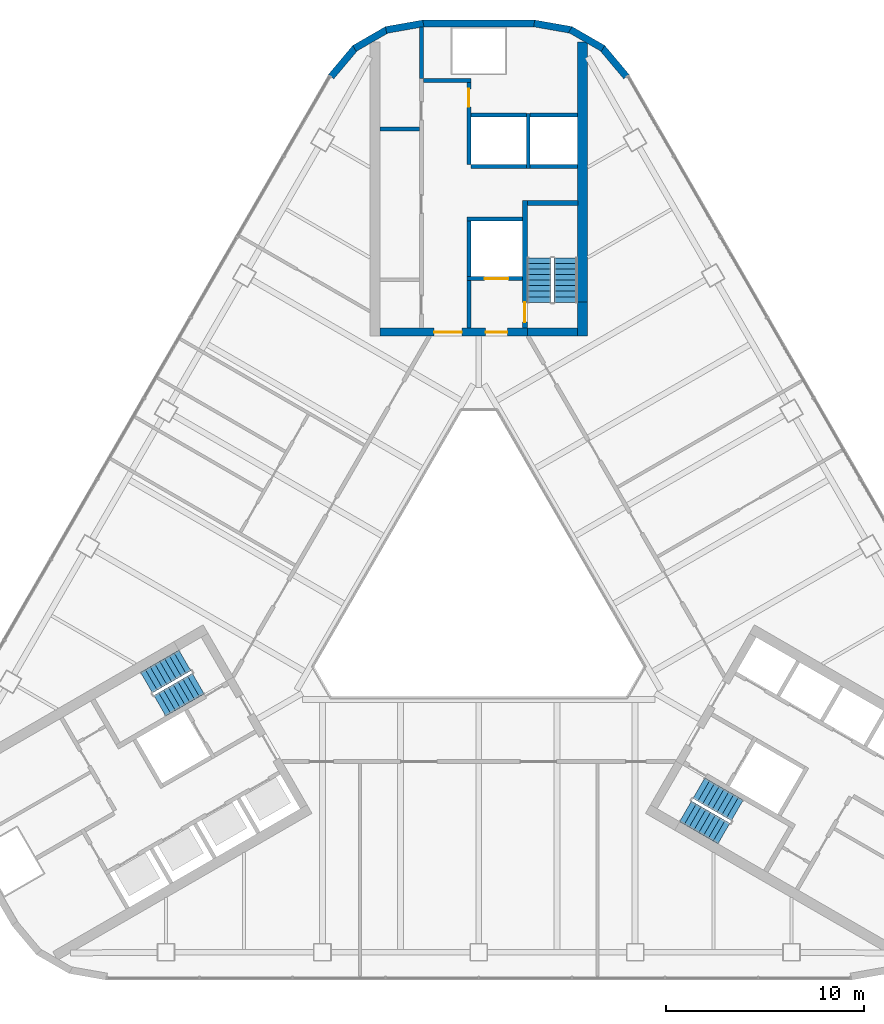
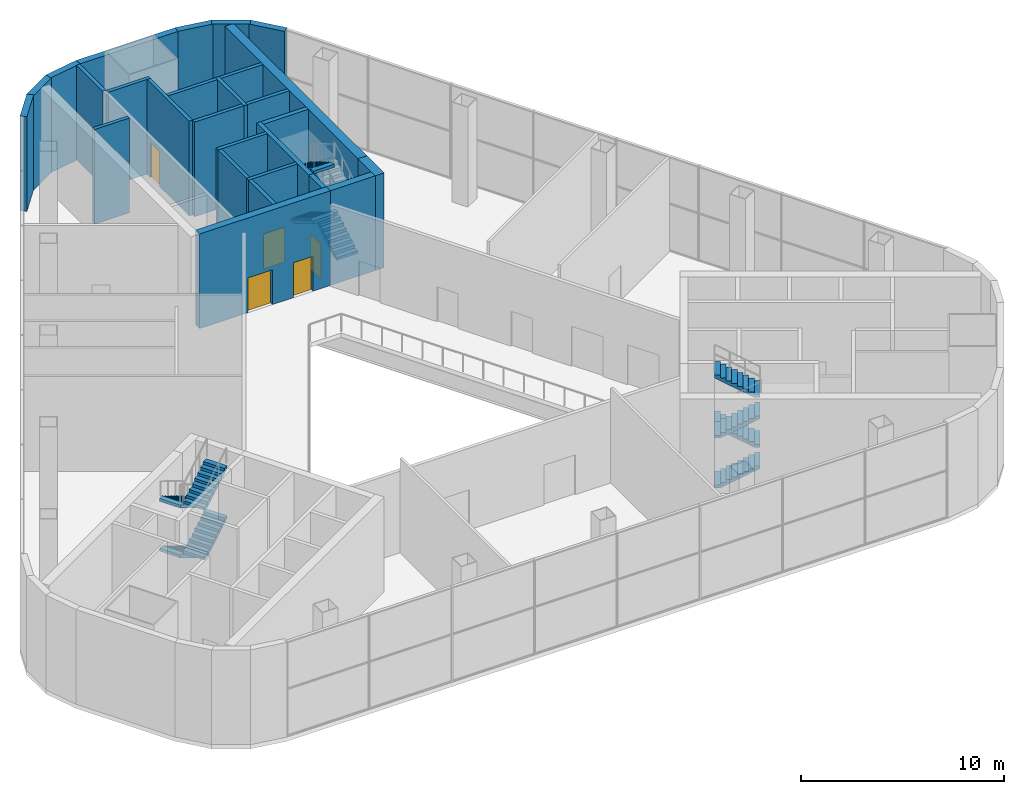
# One storey, part 10 of 14: 27 walls, 11 stair flights, 5 doors, 5 openings, 3 elements without a shape of their own.
"""IFC4 building model written with IfcOpenShell, lengths in metres."""

from ifc_helpers import new_model, si_unit, direction, frame, frame_2d, origin, place, context, subcontext, project, spatial, polyline, rectangle, outline, extrude, material, layer, layer_set, type_object, element, fill, aggregate, save


model = new_model("IFC4")

# Units and contexts
model_context = context("Model", 3, precision=1e-05, world=origin(), true_north=direction((0.0, 1.0)))
body_context = subcontext(model_context, "Body", "Model", "MODEL_VIEW")
ifc_project = project(units=[si_unit("LENGTHUNIT", "METRE"), si_unit("AREAUNIT", "SQUARE_METRE"), si_unit("VOLUMEUNIT", "CUBIC_METRE"), si_unit("PLANEANGLEUNIT", "RADIAN"), si_unit("MASSUNIT", "GRAM", prefix="KILO")], contexts=[model_context])

# Site, building, storey
site_placement = place(None, origin())
site = spatial("IfcSite", under=ifc_project, at=site_placement, CompositionType="ELEMENT")
building_placement = place(site_placement, origin())
building = spatial("IfcBuilding", under=site, at=building_placement, Name="Apuvela Tower Hotel", CompositionType="ELEMENT")
storey_placement = place(building_placement, frame((0.0, 0.0, 131.60009765625)))
storey = spatial("IfcBuildingStorey", under=building, at=storey_placement, Name="L31", CompositionType="ELEMENT", Elevation=131.60009765625)

# Wall
ifc_material_1 = material(Name="Concrete C50/60", Category="concrete")
ifc_layer_1 = layer(ifc_material_1, 0.39990234375)
ifc_layer_set_1 = layer_set([ifc_layer_1], Name="COR-WALL-CORE-400")
wall_type_1 = type_object("IfcWallType", Name="COR-WALL-CORE-400", PredefinedType="SHEAR", material=ifc_layer_set_1)
wall_1_placement = place(storey_placement, frame((5.0, 13.10009765625, 0.0), z_axis=(0.0, 0.0, 1.0), x_axis=(-1.0, 0.0, 0.0)))
element("IfcWall", 1, at=wall_1_placement, inside=storey, type_object=wall_type_1, Name="Core wall N", PredefinedType="SHEAR", context=body_context, shape_type="SweptSolid", body=[
    extrude(rectangle(XDim=2.550048828125, YDim=0.39990234375, at=frame_2d((1.27490234375, 0.0))), origin(), (0.0, 0.0, 1.0), 5.699951171875),
])

# Wall, openings, doors
wall_2_placement = place(storey_placement, frame((2.449951171875, 13.10009765625, 0.0), z_axis=(0.0, 0.0, 1.0), x_axis=(-1.0, 0.0, 0.0)))
wall_2 = element("IfcWall", 2, at=wall_2_placement, inside=storey, type_object=wall_type_1, Name="Core wall N", PredefinedType="SHEAR", context=body_context, shape_type="SweptSolid", body=[
    extrude(rectangle(XDim=7.449951171875, YDim=0.39990234375, at=frame_2d((3.72509765625, 0.0))), origin(), (0.0, 0.0, 1.0), 5.699951171875),
])
opening_1_placement = place(wall_2_placement, frame((1.0, 0.0, 0.0)))
opening_1 = element("IfcOpeningElement", 3, at=opening_1_placement, cuts=wall_2, Name="Opening N-FD", PredefinedType="OPENING", context=body_context, shape_type="SweptSolid", body=[
    extrude(rectangle(XDim=1.10009765625, YDim=2.10009765625, at=frame_2d((0.550048828125, 1.050048828125))), frame((0.0, 0.2099609375, 0.0), z_axis=(0.0, -1.0, 0.0), x_axis=(1.0, 0.0, 0.0)), (0.0, 0.0, 1.0), 0.419921875),
])
opening_2_placement = place(wall_2_placement, frame((3.300048828125, 0.0, 0.0)))
opening_2 = element("IfcOpeningElement", 4, at=opening_2_placement, cuts=wall_2, Name="Opening N-GD", PredefinedType="OPENING", context=body_context, shape_type="SweptSolid", body=[
    extrude(rectangle(XDim=1.39990234375, YDim=2.10009765625, at=frame_2d((0.699951171875, 1.050048828125))), frame((0.0, 0.2099609375, 0.0), z_axis=(0.0, -1.0, 0.0), x_axis=(1.0, 0.0, 0.0)), (0.0, 0.0, 1.0), 0.419921875),
])
ifc_material_2 = material(Name="Steel fire door, powder coated", Category="steel")
door_type_1 = type_object("IfcDoorType", Name="COR-FD-1100", OperationType="NOTDEFINED", PredefinedType="DOOR", material=ifc_material_2)
door_1_placement = place(opening_1_placement, frame((1.10009765625, 0.0, 0.0), z_axis=(0.0, 0.0, 1.0), x_axis=(-1.0, 0.0, 0.0)))
door_1 = element("IfcDoor", 5, at=door_1_placement, inside=storey, type_object=door_type_1, Name="Firefighting lobby door N-FD", OperationType="SINGLE_SWING_LEFT", OverallHeight=2.10009765625, OverallWidth=1.10009765625, PredefinedType="DOOR", context=body_context, shape_type="SweptSolid", body=[
    extrude(rectangle(XDim=1.10009765625, YDim=2.10009765625, at=frame_2d((0.550048828125, 1.050048828125))), frame((0.0, 0.02490234375, 0.0), z_axis=(0.0, -1.0, 0.0), x_axis=(1.0, 0.0, 0.0)), (0.0, 0.0, 1.0), 0.050048828125),
])
fill(opening_1, door_1)
ifc_material_3 = material(Name="Glazed steel fire door", Category="steel")
door_type_2 = type_object("IfcDoorType", Name="COR-GD-1400", OperationType="DOUBLE_DOOR_SINGLE_SWING", PredefinedType="DOOR", material=ifc_material_3)
door_2_placement = place(opening_2_placement, frame((1.39990234375, 0.0, 0.0), z_axis=(0.0, 0.0, 1.0), x_axis=(-1.0, 0.0, 0.0)))
door_2 = element("IfcDoor", 6, at=door_2_placement, inside=storey, type_object=door_type_2, Name="Lift lobby door N-GD", OperationType="DOUBLE_DOOR_SINGLE_SWING", OverallHeight=2.10009765625, OverallWidth=1.39990234375, PredefinedType="DOOR", context=body_context, shape_type="SweptSolid", body=[
    extrude(rectangle(XDim=1.39990234375, YDim=2.10009765625, at=frame_2d((0.699951171875, 1.050048828125))), frame((0.0, 0.02490234375, 0.0), z_axis=(0.0, -1.0, 0.0), x_axis=(1.0, 0.0, 0.0)), (0.0, 0.0, 1.0), 0.050048828125),
])
fill(opening_2, door_2)

# Walls
ifc_layer_2 = layer(ifc_material_1, 0.5)
ifc_layer_set_2 = layer_set([ifc_layer_2], Name="COR-WALL-CORE-500")
wall_type_2 = type_object("IfcWallType", Name="COR-WALL-CORE-500", PredefinedType="SHEAR", material=ifc_layer_set_2)
wall_3_placement = place(storey_placement, frame((5.25, 12.89990234375, 0.0), z_axis=(0.0, 0.0, 1.0), x_axis=(0.0, 1.0, 0.0)))
element("IfcWall", 7, at=wall_3_placement, inside=storey, type_object=wall_type_2, Name="Core wall N", PredefinedType="SHEAR", context=body_context, shape_type="SweptSolid", body=[
    extrude(rectangle(XDim=1.7060546875, YDim=0.5, at=frame_2d((0.85302734375, 0.0))), origin(), (0.0, 0.0, 1.0), 5.699951171875),
])
wall_4_placement = place(storey_placement, frame((5.25, 14.60595703125, 0.0), z_axis=(0.0, 0.0, 1.0), x_axis=(0.0, 1.0, 0.0)))
element("IfcWall", 8, at=wall_4_placement, inside=storey, type_object=wall_type_2, Name="Core wall N", PredefinedType="SHEAR", context=body_context, shape_type="SweptSolid", body=[
    extrude(rectangle(XDim=13.130859375, YDim=0.5, at=frame_2d((6.5654296875, 0.0))), origin(), (0.0, 0.0, 1.0), 5.699951171875),
])
ifc_material_4 = material(Name="Blockwork 200 mm plastered", Category="masonry")
ifc_layer_3 = layer(ifc_material_4, 0.199951171875)
ifc_layer_set_3 = layer_set([ifc_layer_3], Name="COR-WALL-PART-200")
wall_type_3 = type_object("IfcWallType", Name="COR-WALL-PART-200", PredefinedType="PARTITIONING", material=ifc_layer_set_3)
wall_5_placement = place(storey_placement, frame((5.0, 21.449951171875, 0.0), z_axis=(0.0, 0.0, 1.0), x_axis=(-1.0, 0.0, 0.0)))
element("IfcWall", 9, at=wall_5_placement, inside=storey, type_object=wall_type_3, Name="Partition N", PredefinedType="PARTITIONING", context=body_context, shape_type="SweptSolid", body=[
    extrude(rectangle(XDim=2.39990234375, YDim=0.199951171875, at=frame_2d((1.199951171875, 0.0))), origin(), (0.0, 0.0, 1.0), 5.699951171875),
])
wall_6_placement = place(storey_placement, frame((2.39990234375, 21.449951171875, 0.0), z_axis=(0.0, 0.0, 1.0), x_axis=(-1.0, 0.0, 0.0)))
element("IfcWall", 10, at=wall_6_placement, inside=storey, type_object=wall_type_3, Name="Partition N", PredefinedType="PARTITIONING", context=body_context, shape_type="SweptSolid", body=[
    extrude(rectangle(XDim=2.7998046875, YDim=0.199951171875, at=frame_2d((1.39990234375, 0.0))), origin(), (0.0, 0.0, 1.0), 5.699951171875),
])
ifc_layer_4 = layer(ifc_material_1, 0.199951171875)
ifc_layer_set_4 = layer_set([ifc_layer_4], Name="COR-WALL-SHAFT-200")
wall_type_4 = type_object("IfcWallType", Name="COR-WALL-SHAFT-200", PredefinedType="SHEAR", material=ifc_layer_set_4)
wall_7_placement = place(storey_placement, frame((2.199951171875, 18.800048828125, 0.0), z_axis=(0.0, 0.0, 1.0), x_axis=(-1.0, 0.0, 0.0)))
element("IfcWall", 11, at=wall_7_placement, inside=storey, type_object=wall_type_4, Name="Shaft wall N", PredefinedType="SHEAR", context=body_context, shape_type="SweptSolid", body=[
    extrude(rectangle(XDim=2.800048828125, YDim=0.199951171875, at=frame_2d((1.39990234375, 0.0))), origin(), (0.0, 0.0, 1.0), 5.699951171875),
])

# Wall, opening, door
wall_8_placement = place(storey_placement, frame((2.199951171875, 15.800048828125, 0.0), z_axis=(0.0, 0.0, 1.0), x_axis=(-1.0, 0.0, 0.0)))
wall_8 = element("IfcWall", 12, at=wall_8_placement, inside=storey, type_object=wall_type_4, Name="Shaft wall N", PredefinedType="SHEAR", context=body_context, shape_type="SweptSolid", body=[
    extrude(rectangle(XDim=2.800048828125, YDim=0.199951171875, at=frame_2d((1.39990234375, 0.0))), origin(), (0.0, 0.0, 1.0), 5.699951171875),
])
opening_3_placement = place(wall_8_placement, frame((0.699951171875, 0.0, 0.0)))
opening_3 = element("IfcOpeningElement", 13, at=opening_3_placement, cuts=wall_8, Name="Opening N-LD-FS1", PredefinedType="OPENING", context=body_context, shape_type="SweptSolid", body=[
    extrude(rectangle(XDim=1.199951171875, YDim=2.10009765625, at=frame_2d((0.60009765625, 1.050048828125))), frame((0.0, 0.10986328125, 0.0), z_axis=(0.0, -1.0, 0.0), x_axis=(1.0, 0.0, 0.0)), (0.0, 0.0, 1.0), 0.219970703125),
])
ifc_material_5 = material(Name="Stainless steel lift landing door", Category="steel")
door_type_3 = type_object("IfcDoorType", Name="COR-LD-1200", OperationType="DOUBLE_DOOR_SLIDING", PredefinedType="DOOR", material=ifc_material_5)
door_3_placement = place(opening_3_placement, origin())
door_3 = element("IfcDoor", 14, at=door_3_placement, inside=storey, type_object=door_type_3, Name="Lift landing door N-LD-FS1", OperationType="DOUBLE_DOOR_SLIDING", OverallHeight=2.10009765625, OverallWidth=1.199951171875, PredefinedType="DOOR", context=body_context, shape_type="SweptSolid", body=[
    extrude(rectangle(XDim=1.199951171875, YDim=2.10009765625, at=frame_2d((0.60009765625, 1.050048828125))), frame((0.0, 0.02490234375, 0.0), z_axis=(0.0, -1.0, 0.0), x_axis=(1.0, 0.0, 0.0)), (0.0, 0.0, 1.0), 0.050048828125),
])
fill(opening_3, door_3)

# Walls
wall_9_placement = place(storey_placement, frame((-0.5, 15.89990234375, 0.0), z_axis=(0.0, 0.0, 1.0), x_axis=(0.0, 1.0, 0.0)))
element("IfcWall", 15, at=wall_9_placement, inside=storey, type_object=wall_type_4, Name="Shaft wall N", PredefinedType="SHEAR", context=body_context, shape_type="SweptSolid", body=[
    extrude(rectangle(XDim=2.800048828125, YDim=0.199951171875, at=frame_2d((1.39990234375, 0.0))), origin(), (0.0, 0.0, 1.0), 5.699951171875),
])
wall_10_placement = place(storey_placement, frame((-0.5, 13.300048828125, 0.0), z_axis=(0.0, 0.0, 1.0), x_axis=(0.0, 1.0, 0.0)))
element("IfcWall", 16, at=wall_10_placement, inside=storey, type_object=wall_type_4, Name="Shaft wall N", PredefinedType="SHEAR", context=body_context, shape_type="SweptSolid", body=[
    extrude(rectangle(XDim=2.39990234375, YDim=0.199951171875, at=frame_2d((1.199951171875, 0.0))), origin(), (0.0, 0.0, 1.0), 5.699951171875),
])
wall_11_placement = place(storey_placement, frame((-0.39990234375, 25.800048828125, 0.0), z_axis=(0.0, 0.0, 1.0), x_axis=(-1.0, 0.0, 0.0)))
element("IfcWall", 17, at=wall_11_placement, inside=storey, type_object=wall_type_4, Name="Shaft wall N", PredefinedType="SHEAR", context=body_context, shape_type="SweptSolid", body=[
    extrude(rectangle(XDim=2.400146484375, YDim=0.199951171875, at=frame_2d((1.2001953125, 0.0))), origin(), (0.0, 0.0, 1.0), 5.699951171875),
])

# Wall, opening, door
wall_12_placement = place(storey_placement, frame((-0.5, 21.550048828125, 0.0), z_axis=(0.0, 0.0, 1.0), x_axis=(0.0, 1.0, 0.0)))
wall_12 = element("IfcWall", 18, at=wall_12_placement, inside=storey, type_object=wall_type_4, Name="Shaft wall N", PredefinedType="SHEAR", context=body_context, shape_type="SweptSolid", body=[
    extrude(rectangle(XDim=4.14990234375, YDim=0.199951171875, at=frame_2d((2.074951171875, 0.0))), origin(), (0.0, 0.0, 1.0), 5.699951171875),
])
opening_4_placement = place(wall_12_placement, frame((2.925048828125, 0.0, 0.0)))
opening_4 = element("IfcOpeningElement", 19, at=opening_4_placement, cuts=wall_12, Name="Opening N-RSP", PredefinedType="OPENING", context=body_context, shape_type="SweptSolid", body=[
    extrude(rectangle(XDim=0.89990234375, YDim=2.10009765625, at=frame_2d((0.449951171875, 1.050048828125))), frame((0.0, 0.10986328125, 0.0), z_axis=(0.0, -1.0, 0.0), x_axis=(1.0, 0.0, 0.0)), (0.0, 0.0, 1.0), 0.219970703125),
])
door_type_4 = type_object("IfcDoorType", Name="COR-DR-900", OperationType="NOTDEFINED", PredefinedType="DOOR", material=ifc_material_2)
door_4_placement = place(opening_4_placement, frame((0.89990234375, 0.0, 0.0), z_axis=(0.0, 0.0, 1.0), x_axis=(-1.0, 0.0, 0.0)))
door_4 = element("IfcDoor", 20, at=door_4_placement, inside=storey, type_object=door_type_4, Name="Store door N-RSP", OperationType="SINGLE_SWING_LEFT", OverallHeight=2.10009765625, OverallWidth=0.89990234375, PredefinedType="DOOR", context=body_context, shape_type="SweptSolid", body=[
    extrude(rectangle(XDim=0.89990234375, YDim=2.10009765625, at=frame_2d((0.449951171875, 1.050048828125))), frame((0.0, 0.02490234375, 0.0), z_axis=(0.0, -1.0, 0.0), x_axis=(1.0, 0.0, 0.0)), (0.0, 0.0, 1.0), 0.050048828125),
])
fill(opening_4, door_4)

# Walls
wall_13_placement = place(storey_placement, frame((-3.0, 23.360107421875, 0.0), z_axis=(0.0, 0.0, 1.0), x_axis=(-1.0, 0.0, 0.0)))
element("IfcWall", 21, at=wall_13_placement, inside=storey, type_object=wall_type_4, Name="Shaft wall N", PredefinedType="SHEAR", context=body_context, shape_type="SweptSolid", body=[
    extrude(rectangle(XDim=2.0, YDim=0.199951171875, at=frame_2d((1.0, 0.0))), origin(), (0.0, 0.0, 1.0), 5.699951171875),
])
wall_14_placement = place(storey_placement, frame((-2.89990234375, 25.89990234375, 0.0), z_axis=(0.0, 0.0, 1.0), x_axis=(0.0, 1.0, 0.0)))
element("IfcWall", 22, at=wall_14_placement, inside=storey, type_object=wall_type_4, Name="Shaft wall N", PredefinedType="SHEAR", context=body_context, shape_type="SweptSolid", body=[
    extrude(rectangle(XDim=2.60009765625, YDim=0.199951171875, at=frame_2d((1.300048828125, 0.0))), origin(), (0.0, 0.0, 1.0), 5.699951171875),
])
wall_15_placement = place(storey_placement, frame((2.5, 21.35009765625, 0.0), z_axis=(0.0, 0.0, 1.0), x_axis=(0.0, 1.0, 0.0)))
element("IfcWall", 23, at=wall_15_placement, inside=storey, type_object=wall_type_4, Name="Shaft wall N", PredefinedType="SHEAR", context=body_context, shape_type="SweptSolid", body=[
    extrude(rectangle(XDim=2.7998046875, YDim=0.199951171875, at=frame_2d((1.39990234375, 0.0))), origin(), (0.0, 0.0, 1.0), 5.699951171875),
])
wall_16_placement = place(storey_placement, frame((5.0, 24.050048828125, 0.0), z_axis=(0.0, 0.0, 1.0), x_axis=(-1.0, 0.0, 0.0)))
element("IfcWall", 24, at=wall_16_placement, inside=storey, type_object=wall_type_4, Name="Shaft wall N", PredefinedType="SHEAR", context=body_context, shape_type="SweptSolid", body=[
    extrude(rectangle(XDim=2.39990234375, YDim=0.199951171875, at=frame_2d((1.199951171875, 0.0))), origin(), (0.0, 0.0, 1.0), 5.699951171875),
])
wall_17_placement = place(storey_placement, frame((2.39990234375, 24.050048828125, 0.0), z_axis=(0.0, 0.0, 1.0), x_axis=(-1.0, 0.0, 0.0)))
element("IfcWall", 25, at=wall_17_placement, inside=storey, type_object=wall_type_4, Name="Shaft wall N", PredefinedType="SHEAR", context=body_context, shape_type="SweptSolid", body=[
    extrude(rectangle(XDim=2.7998046875, YDim=0.199951171875, at=frame_2d((1.39990234375, 0.0))), origin(), (0.0, 0.0, 1.0), 5.699951171875),
])
ifc_layer_5 = layer(ifc_material_1, 0.25)
ifc_layer_set_5 = layer_set([ifc_layer_5], Name="COR-WALL-STAIR-250")
wall_type_5 = type_object("IfcWallType", Name="COR-WALL-STAIR-250", PredefinedType="SHEAR", material=ifc_layer_set_5)
wall_18_placement = place(storey_placement, frame((5.0, 19.625, 0.0), z_axis=(0.0, 0.0, 1.0), x_axis=(-1.0, 0.0, 0.0)))
element("IfcWall", 26, at=wall_18_placement, inside=storey, type_object=wall_type_5, Name="Stair wall N", PredefinedType="SHEAR", context=body_context, shape_type="SweptSolid", body=[
    extrude(rectangle(XDim=2.550048828125, YDim=0.25, at=frame_2d((1.27490234375, 0.0))), origin(), (0.0, 0.0, 1.0), 5.699951171875),
])

# Wall, opening, door
wall_19_placement = place(storey_placement, frame((2.324951171875, 13.300048828125, 0.0), z_axis=(0.0, 0.0, 1.0), x_axis=(0.0, 1.0, 0.0)))
wall_19 = element("IfcWall", 27, at=wall_19_placement, inside=storey, type_object=wall_type_5, Name="Stair wall N", PredefinedType="SHEAR", context=body_context, shape_type="SweptSolid", body=[
    extrude(rectangle(XDim=1.305908203125, YDim=0.25, at=frame_2d((0.65283203125, 0.0))), origin(), (0.0, 0.0, 1.0), 5.699951171875),
])
opening_5_placement = place(wall_19_placement, frame((0.300048828125, 0.0, 0.0)))
opening_5 = element("IfcOpeningElement", 28, at=opening_5_placement, cuts=wall_19, Name="Opening N-SD", PredefinedType="OPENING", context=body_context, shape_type="SweptSolid", body=[
    extrude(rectangle(XDim=1.0, YDim=2.10009765625, at=frame_2d((0.5, 1.050048828125))), frame((0.0, 0.135009765625, 0.0), z_axis=(0.0, -1.0, 0.0), x_axis=(1.0, 0.0, 0.0)), (0.0, 0.0, 1.0), 0.27001953125),
])
door_type_5 = type_object("IfcDoorType", Name="COR-SD-1000", OperationType="NOTDEFINED", PredefinedType="DOOR", material=ifc_material_2)
door_5_placement = place(opening_5_placement, frame((1.0, 0.0, 0.0), z_axis=(0.0, 0.0, 1.0), x_axis=(-1.0, 0.0, 0.0)))
door_5 = element("IfcDoor", 29, at=door_5_placement, inside=storey, type_object=door_type_5, Name="Stair door N-SD", OperationType="SINGLE_SWING_LEFT", OverallHeight=2.10009765625, OverallWidth=1.0, PredefinedType="DOOR", context=body_context, shape_type="SweptSolid", body=[
    extrude(rectangle(XDim=1.0, YDim=2.10009765625, at=frame_2d((0.5, 1.050048828125))), frame((0.0, 0.02490234375, 0.0), z_axis=(0.0, -1.0, 0.0), x_axis=(1.0, 0.0, 0.0)), (0.0, 0.0, 1.0), 0.050048828125),
])
fill(opening_5, door_5)

# Walls
wall_20_placement = place(storey_placement, frame((2.324951171875, 14.60595703125, 0.0), z_axis=(0.0, 0.0, 1.0), x_axis=(0.0, 1.0, 0.0)))
element("IfcWall", 30, at=wall_20_placement, inside=storey, type_object=wall_type_5, Name="Stair wall N", PredefinedType="SHEAR", context=body_context, shape_type="SweptSolid", body=[
    extrude(rectangle(XDim=5.14404296875, YDim=0.25, at=frame_2d((2.572021484375, 0.0))), origin(), (0.0, 0.0, 1.0), 5.699951171875),
])
ifc_material_6 = material(Name="Concrete C40/50, dark pigmented precast panel", Category="concrete")
ifc_layer_6 = layer(ifc_material_6, 0.35009765625)
ifc_layer_set_6 = layer_set([ifc_layer_6], Name="ENV-WALL-350")
wall_type_6 = type_object("IfcWallType", Name="ENV-WALL-350", PredefinedType="SOLIDWALL", material=ifc_layer_set_6)
for number, where, z_axis, x_axis, name in (
    (31, (6.27685546875, 27.421630859375, 0.0), (0.0, 0.0, 1.0), (-0.866032345022, 0.499987977232, 0.0), "External wall L31-01"),
    (32, (4.6796875, 28.35595703125, 0.0), (0.0, 0.0, 1.0), (-0.984798995425, 0.173697837091, 0.0), "External wall L31-02"),
):
    element("IfcWall", number, at=place(storey_placement, frame(where, z_axis=z_axis, x_axis=x_axis)), inside=storey, type_object=wall_type_6, Name=name, PredefinedType="SOLIDWALL", context=body_context, shape_type="SweptSolid", body=[
        extrude(rectangle(XDim=1.91015625, YDim=0.35009765625, at=frame_2d((0.955078125, 0.0))), origin(), (0.0, 0.0, 1.0), 5.699951171875),
    ])
wall_21_placement = place(storey_placement, frame((2.8291015625, 28.68505859375, 0.0), z_axis=(0.0, 0.0, 1.0), x_axis=(-1.0, 0.0, 0.0)))
element("IfcWall", 33, at=wall_21_placement, inside=storey, type_object=wall_type_6, Name="External wall L31-03", PredefinedType="SOLIDWALL", context=body_context, shape_type="SweptSolid", body=[
    extrude(rectangle(XDim=5.658203125, YDim=0.35009765625, at=frame_2d((2.8291015625, 0.0))), origin(), (0.0, 0.0, 1.0), 5.699951171875),
])
for number, where, z_axis, x_axis, name in (
    (34, (-2.798583984375, 28.687744140625, 0.0), (0.0, 0.0, 1.0), (-0.984798995425, -0.173697837091, 0.0), "External wall L31-04"),
    (35, (-4.62255859375, 28.376708984375, 0.0), (0.0, 0.0, 1.0), (-0.866032345022, -0.499987977232, 0.0), "External wall L31-05"),
):
    element("IfcWall", number, at=place(storey_placement, frame(where, z_axis=z_axis, x_axis=x_axis)), inside=storey, type_object=wall_type_6, Name=name, PredefinedType="SOLIDWALL", context=body_context, shape_type="SweptSolid", body=[
        extrude(rectangle(XDim=1.91015625, YDim=0.35009765625, at=frame_2d((0.955078125, 0.0))), origin(), (0.0, 0.0, 1.0), 5.699951171875),
    ])
for number, where, z_axis, x_axis, name in (
    (36, (-6.230224609375, 27.460693359375, 0.0), (0.0, 0.0, 1.0), (-0.642808304945, -0.766027077259, 0.0), "External wall L31-06"),
    (37, (7.4580078125, 25.99755859375, 0.0), (0.0, 0.0, 1.0), (-0.642808304945, 0.766027077259, 0.0), "External wall L31-24"),
):
    element("IfcWall", number, at=place(storey_placement, frame(where, z_axis=z_axis, x_axis=x_axis)), inside=storey, type_object=wall_type_6, Name=name, PredefinedType="SOLIDWALL", context=body_context, shape_type="SweptSolid", body=[
        extrude(rectangle(XDim=1.909912109375, YDim=0.35009765625, at=frame_2d((0.955078125, 0.0))), origin(), (0.0, 0.0, 1.0), 5.699951171875),
    ])

# Stair, stair flights
stair_type = type_object("IfcStairType", Name="COR-STAIR-36R", PredefinedType="HALF_TURN_STAIR", material=ifc_material_1)
stair_1_placement = place(storey_placement, origin())
stair_1 = element("IfcStair", 38, at=stair_1_placement, inside=storey, type_object=stair_type, Name="L31 Exit stair ST1", PredefinedType="HALF_TURN_STAIR")
stair_flight_type = type_object("IfcStairFlightType", Name="COR-FLIGHT-9R", PredefinedType="STRAIGHT", material=ifc_material_1)
stair_flight_1_placement = place(storey_placement, frame((4.39990234375, 14.60009765625, 0.0), z_axis=(0.0, 0.0, 1.0), x_axis=(0.0, 1.0, 0.0)))
stair_flight_1 = element("IfcStairFlight", 39, at=stair_flight_1_placement, type_object=stair_flight_type, Name="ST1 flight 1", NumberOfRisers=9, NumberOfTreads=8, PredefinedType="STRAIGHT", RiserHeight=0.166666667, TreadLength=0.28, context=body_context, shape_type="SweptSolid", body=[
    extrude(outline(polyline([(0.0, 0.0), (0.0, 0.166748046875), (0.280029296875, 0.166748046875), (0.280029296875, 0.333251953125), (0.56005859375, 0.333251953125), (0.56005859375, 0.5), (0.840087890625, 0.5), (0.840087890625, 0.666748046875), (1.1201171875, 0.666748046875), (1.1201171875, 0.833251953125), (1.39990234375, 0.833251953125), (1.39990234375, 1.0), (1.679931640625, 1.0), (1.679931640625, 1.166748046875), (1.9599609375, 1.166748046875), (1.9599609375, 1.333251953125), (2.239990234375, 1.333251953125), (2.239990234375, 1.5), (2.239990234375, 1.158935546875), (0.29296875, 0.0), (0.0, 0.0)])), frame((0.0, 0.60009765625, 0.0), z_axis=(0.0, -1.0, 0.0), x_axis=(1.0, 0.0, 0.0)), (0.0, 0.0, 1.0), 1.199951171875),
])
stair_flight_2_placement = place(storey_placement, frame((3.050048828125, 16.840087890625, 1.5), z_axis=(0.0, 0.0, 1.0), x_axis=(0.0, -1.0, 0.0)))
stair_flight_2 = element("IfcStairFlight", 40, at=stair_flight_2_placement, type_object=stair_flight_type, Name="ST1 flight 2", NumberOfRisers=9, NumberOfTreads=8, PredefinedType="STRAIGHT", RiserHeight=0.166666667, TreadLength=0.28, context=body_context, shape_type="SweptSolid", body=[
    extrude(outline(polyline([(0.0, 0.0), (0.0, 0.166748046875), (0.280029296875, 0.166748046875), (0.280029296875, 0.333251953125), (0.56005859375, 0.333251953125), (0.56005859375, 0.5), (0.840087890625, 0.5), (0.840087890625, 0.666748046875), (1.1201171875, 0.666748046875), (1.1201171875, 0.833251953125), (1.39990234375, 0.833251953125), (1.39990234375, 1.0), (1.679931640625, 1.0), (1.679931640625, 1.166748046875), (1.9599609375, 1.166748046875), (1.9599609375, 1.333251953125), (2.239990234375, 1.333251953125), (2.239990234375, 1.5), (2.239990234375, 1.158935546875), (0.29296875, 0.0), (0.0, 0.0)])), frame((0.0, 0.60009765625, 0.0), z_axis=(0.0, -1.0, 0.0), x_axis=(1.0, 0.0, 0.0)), (0.0, 0.0, 1.0), 1.199951171875),
])
stair_flight_3_placement = place(storey_placement, frame((3.050048828125, 16.840087890625, 4.5), z_axis=(0.0, 0.0, 1.0), x_axis=(0.0, -1.0, 0.0)))
stair_flight_3 = element("IfcStairFlight", 41, at=stair_flight_3_placement, type_object=stair_flight_type, Name="ST1 flight 4", NumberOfRisers=9, NumberOfTreads=8, PredefinedType="STRAIGHT", RiserHeight=0.166666667, TreadLength=0.28, context=body_context, shape_type="SweptSolid", body=[
    extrude(outline(polyline([(0.0, 0.0), (0.0, 0.166748046875), (0.280029296875, 0.166748046875), (0.280029296875, 0.333251953125), (0.56005859375, 0.333251953125), (0.56005859375, 0.5), (0.840087890625, 0.5), (0.840087890625, 0.666748046875), (1.1201171875, 0.666748046875), (1.1201171875, 0.833251953125), (1.39990234375, 0.833251953125), (1.39990234375, 1.0), (1.679931640625, 1.0), (1.679931640625, 1.166748046875), (1.9599609375, 1.166748046875), (1.9599609375, 1.333251953125), (2.239990234375, 1.333251953125), (2.239990234375, 1.5), (2.239990234375, 1.158935546875), (0.29296875, 0.0), (0.0, 0.0)])), frame((0.0, 0.60009765625, 0.0), z_axis=(0.0, -1.0, 0.0), x_axis=(1.0, 0.0, 0.0)), (0.0, 0.0, 1.0), 1.199951171875),
])
aggregate(stair_1, [stair_flight_1, stair_flight_2, stair_flight_3])

stair_2_placement = place(storey_placement, origin())
stair_2 = element("IfcStair", 42, at=stair_2_placement, inside=storey, type_object=stair_type, Name="L31 Exit stair ST2", PredefinedType="HALF_TURN_STAIR")
stair_flight_4_placement = place(storey_placement, frame((-14.843994140625, -3.489501953125, 0.0), z_axis=(0.0, 0.0, 1.0), x_axis=(-0.866025403784, -0.5, 0.0)))
stair_flight_4 = element("IfcStairFlight", 43, at=stair_flight_4_placement, type_object=stair_flight_type, Name="ST2 flight 1", NumberOfRisers=9, NumberOfTreads=8, PredefinedType="STRAIGHT", RiserHeight=0.166666667, TreadLength=0.28, context=body_context, shape_type="SweptSolid", body=[
    extrude(outline(polyline([(0.0, 0.0), (0.0, 0.166748046875), (0.280029296875, 0.166748046875), (0.280029296875, 0.333251953125), (0.56005859375, 0.333251953125), (0.56005859375, 0.5), (0.840087890625, 0.5), (0.840087890625, 0.666748046875), (1.1201171875, 0.666748046875), (1.1201171875, 0.833251953125), (1.39990234375, 0.833251953125), (1.39990234375, 1.0), (1.679931640625, 1.0), (1.679931640625, 1.166748046875), (1.9599609375, 1.166748046875), (1.9599609375, 1.333251953125), (2.239990234375, 1.333251953125), (2.239990234375, 1.5), (2.239990234375, 1.158935546875), (0.29296875, 0.0), (0.0, 0.0)])), frame((0.0, 0.60009765625, 0.0), z_axis=(0.0, -1.0, 0.0), x_axis=(1.0, 0.0, 0.0)), (0.0, 0.0, 1.0), 1.199951171875),
])
stair_flight_5_placement = place(storey_placement, frame((-16.10888671875, -5.778564453125, 1.5), z_axis=(0.0, 0.0, 1.0), x_axis=(0.866025403784, 0.5, 0.0)))
stair_flight_5 = element("IfcStairFlight", 44, at=stair_flight_5_placement, type_object=stair_flight_type, Name="ST2 flight 2", NumberOfRisers=9, NumberOfTreads=8, PredefinedType="STRAIGHT", RiserHeight=0.166666667, TreadLength=0.28, context=body_context, shape_type="SweptSolid", body=[
    extrude(outline(polyline([(0.0, 0.0), (0.0, 0.166748046875), (0.280029296875, 0.166748046875), (0.280029296875, 0.333251953125), (0.56005859375, 0.333251953125), (0.56005859375, 0.5), (0.840087890625, 0.5), (0.840087890625, 0.666748046875), (1.1201171875, 0.666748046875), (1.1201171875, 0.833251953125), (1.39990234375, 0.833251953125), (1.39990234375, 1.0), (1.679931640625, 1.0), (1.679931640625, 1.166748046875), (1.9599609375, 1.166748046875), (1.9599609375, 1.333251953125), (2.239990234375, 1.333251953125), (2.239990234375, 1.5), (2.239990234375, 1.158935546875), (0.29296875, 0.0), (0.0, 0.0)])), frame((0.0, 0.60009765625, 0.0), z_axis=(0.0, -1.0, 0.0), x_axis=(1.0, 0.0, 0.0)), (0.0, 0.0, 1.0), 1.199951171875),
])
stair_flight_6_placement = place(storey_placement, frame((-14.843994140625, -3.489501953125, 3.0), z_axis=(0.0, 0.0, 1.0), x_axis=(-0.866025403784, -0.5, 0.0)))
stair_flight_6 = element("IfcStairFlight", 45, at=stair_flight_6_placement, type_object=stair_flight_type, Name="ST2 flight 3", NumberOfRisers=9, NumberOfTreads=8, PredefinedType="STRAIGHT", RiserHeight=0.166666667, TreadLength=0.28, context=body_context, shape_type="SweptSolid", body=[
    extrude(outline(polyline([(0.0, 0.0), (0.0, 0.166748046875), (0.280029296875, 0.166748046875), (0.280029296875, 0.333251953125), (0.56005859375, 0.333251953125), (0.56005859375, 0.5), (0.840087890625, 0.5), (0.840087890625, 0.666748046875), (1.1201171875, 0.666748046875), (1.1201171875, 0.833251953125), (1.39990234375, 0.833251953125), (1.39990234375, 1.0), (1.679931640625, 1.0), (1.679931640625, 1.166748046875), (1.9599609375, 1.166748046875), (1.9599609375, 1.333251953125), (2.239990234375, 1.333251953125), (2.239990234375, 1.5), (2.239990234375, 1.158935546875), (0.29296875, 0.0), (0.0, 0.0)])), frame((0.0, 0.60009765625, 0.0), z_axis=(0.0, -1.0, 0.0), x_axis=(1.0, 0.0, 0.0)), (0.0, 0.0, 1.0), 1.199951171875),
])
stair_flight_7_placement = place(storey_placement, frame((-16.10888671875, -5.778564453125, 4.5), z_axis=(0.0, 0.0, 1.0), x_axis=(0.866025403784, 0.5, 0.0)))
stair_flight_7 = element("IfcStairFlight", 46, at=stair_flight_7_placement, type_object=stair_flight_type, Name="ST2 flight 4", NumberOfRisers=9, NumberOfTreads=8, PredefinedType="STRAIGHT", RiserHeight=0.166666667, TreadLength=0.28, context=body_context, shape_type="SweptSolid", body=[
    extrude(outline(polyline([(0.0, 0.0), (0.0, 0.166748046875), (0.280029296875, 0.166748046875), (0.280029296875, 0.333251953125), (0.56005859375, 0.333251953125), (0.56005859375, 0.5), (0.840087890625, 0.5), (0.840087890625, 0.666748046875), (1.1201171875, 0.666748046875), (1.1201171875, 0.833251953125), (1.39990234375, 0.833251953125), (1.39990234375, 1.0), (1.679931640625, 1.0), (1.679931640625, 1.166748046875), (1.9599609375, 1.166748046875), (1.9599609375, 1.333251953125), (2.239990234375, 1.333251953125), (2.239990234375, 1.5), (2.239990234375, 1.158935546875), (0.29296875, 0.0), (0.0, 0.0)])), frame((0.0, 0.60009765625, 0.0), z_axis=(0.0, -1.0, 0.0), x_axis=(1.0, 0.0, 0.0)), (0.0, 0.0, 1.0), 1.199951171875),
])
aggregate(stair_2, [stair_flight_4, stair_flight_5, stair_flight_6, stair_flight_7])

stair_3_placement = place(storey_placement, origin())
stair_3 = element("IfcStair", 47, at=stair_3_placement, inside=storey, type_object=stair_type, Name="L31 Exit stair ST3", PredefinedType="HALF_TURN_STAIR")
stair_flight_8_placement = place(storey_placement, frame((10.444091796875, -11.110595703125, 0.0), z_axis=(0.0, 0.0, 1.0), x_axis=(0.866025403784, -0.5, 0.0)))
stair_flight_8 = element("IfcStairFlight", 48, at=stair_flight_8_placement, type_object=stair_flight_type, Name="ST3 flight 1", NumberOfRisers=9, NumberOfTreads=8, PredefinedType="STRAIGHT", RiserHeight=0.166666667, TreadLength=0.28, context=body_context, shape_type="SweptSolid", body=[
    extrude(outline(polyline([(0.0, 0.0), (0.0, 0.166748046875), (0.280029296875, 0.166748046875), (0.280029296875, 0.333251953125), (0.56005859375, 0.333251953125), (0.56005859375, 0.5), (0.840087890625, 0.5), (0.840087890625, 0.666748046875), (1.1201171875, 0.666748046875), (1.1201171875, 0.833251953125), (1.39990234375, 0.833251953125), (1.39990234375, 1.0), (1.679931640625, 1.0), (1.679931640625, 1.166748046875), (1.9599609375, 1.166748046875), (1.9599609375, 1.333251953125), (2.239990234375, 1.333251953125), (2.239990234375, 1.5), (2.239990234375, 1.158935546875), (0.29296875, 0.0), (0.0, 0.0)])), frame((0.0, 0.60009765625, 0.0), z_axis=(0.0, -1.0, 0.0), x_axis=(1.0, 0.0, 0.0)), (0.0, 0.0, 1.0), 1.199951171875),
])
stair_flight_9_placement = place(storey_placement, frame((13.058837890625, -11.061279296875, 1.5), z_axis=(0.0, 0.0, 1.0), x_axis=(-0.866025403784, 0.5, 0.0)))
stair_flight_9 = element("IfcStairFlight", 49, at=stair_flight_9_placement, type_object=stair_flight_type, Name="ST3 flight 2", NumberOfRisers=9, NumberOfTreads=8, PredefinedType="STRAIGHT", RiserHeight=0.166666667, TreadLength=0.28, context=body_context, shape_type="SweptSolid", body=[
    extrude(outline(polyline([(0.0, 0.0), (0.0, 0.166748046875), (0.280029296875, 0.166748046875), (0.280029296875, 0.333251953125), (0.56005859375, 0.333251953125), (0.56005859375, 0.5), (0.840087890625, 0.5), (0.840087890625, 0.666748046875), (1.1201171875, 0.666748046875), (1.1201171875, 0.833251953125), (1.39990234375, 0.833251953125), (1.39990234375, 1.0), (1.679931640625, 1.0), (1.679931640625, 1.166748046875), (1.9599609375, 1.166748046875), (1.9599609375, 1.333251953125), (2.239990234375, 1.333251953125), (2.239990234375, 1.5), (2.239990234375, 1.158935546875), (0.29296875, 0.0), (0.0, 0.0)])), frame((0.0, 0.60009765625, 0.0), z_axis=(0.0, -1.0, 0.0), x_axis=(1.0, 0.0, 0.0)), (0.0, 0.0, 1.0), 1.199951171875),
])
stair_flight_10_placement = place(storey_placement, frame((10.444091796875, -11.110595703125, 3.0), z_axis=(0.0, 0.0, 1.0), x_axis=(0.866025403784, -0.5, 0.0)))
stair_flight_10 = element("IfcStairFlight", 50, at=stair_flight_10_placement, type_object=stair_flight_type, Name="ST3 flight 3", NumberOfRisers=9, NumberOfTreads=8, PredefinedType="STRAIGHT", RiserHeight=0.166666667, TreadLength=0.28, context=body_context, shape_type="SweptSolid", body=[
    extrude(outline(polyline([(0.0, 0.0), (0.0, 0.166748046875), (0.280029296875, 0.166748046875), (0.280029296875, 0.333251953125), (0.56005859375, 0.333251953125), (0.56005859375, 0.5), (0.840087890625, 0.5), (0.840087890625, 0.666748046875), (1.1201171875, 0.666748046875), (1.1201171875, 0.833251953125), (1.39990234375, 0.833251953125), (1.39990234375, 1.0), (1.679931640625, 1.0), (1.679931640625, 1.166748046875), (1.9599609375, 1.166748046875), (1.9599609375, 1.333251953125), (2.239990234375, 1.333251953125), (2.239990234375, 1.5), (2.239990234375, 1.158935546875), (0.29296875, 0.0), (0.0, 0.0)])), frame((0.0, 0.60009765625, 0.0), z_axis=(0.0, -1.0, 0.0), x_axis=(1.0, 0.0, 0.0)), (0.0, 0.0, 1.0), 1.199951171875),
])
stair_flight_11_placement = place(storey_placement, frame((13.058837890625, -11.061279296875, 4.5), z_axis=(0.0, 0.0, 1.0), x_axis=(-0.866025403784, 0.5, 0.0)))
stair_flight_11 = element("IfcStairFlight", 51, at=stair_flight_11_placement, type_object=stair_flight_type, Name="ST3 flight 4", NumberOfRisers=9, NumberOfTreads=8, PredefinedType="STRAIGHT", RiserHeight=0.166666667, TreadLength=0.28, context=body_context, shape_type="SweptSolid", body=[
    extrude(outline(polyline([(0.0, 0.0), (0.0, 0.166748046875), (0.280029296875, 0.166748046875), (0.280029296875, 0.333251953125), (0.56005859375, 0.333251953125), (0.56005859375, 0.5), (0.840087890625, 0.5), (0.840087890625, 0.666748046875), (1.1201171875, 0.666748046875), (1.1201171875, 0.833251953125), (1.39990234375, 0.833251953125), (1.39990234375, 1.0), (1.679931640625, 1.0), (1.679931640625, 1.166748046875), (1.9599609375, 1.166748046875), (1.9599609375, 1.333251953125), (2.239990234375, 1.333251953125), (2.239990234375, 1.5), (2.239990234375, 1.158935546875), (0.29296875, 0.0), (0.0, 0.0)])), frame((0.0, 0.60009765625, 0.0), z_axis=(0.0, -1.0, 0.0), x_axis=(1.0, 0.0, 0.0)), (0.0, 0.0, 1.0), 1.199951171875),
])
aggregate(stair_3, [stair_flight_8, stair_flight_9, stair_flight_10, stair_flight_11])

save(model, "model.ifc")
